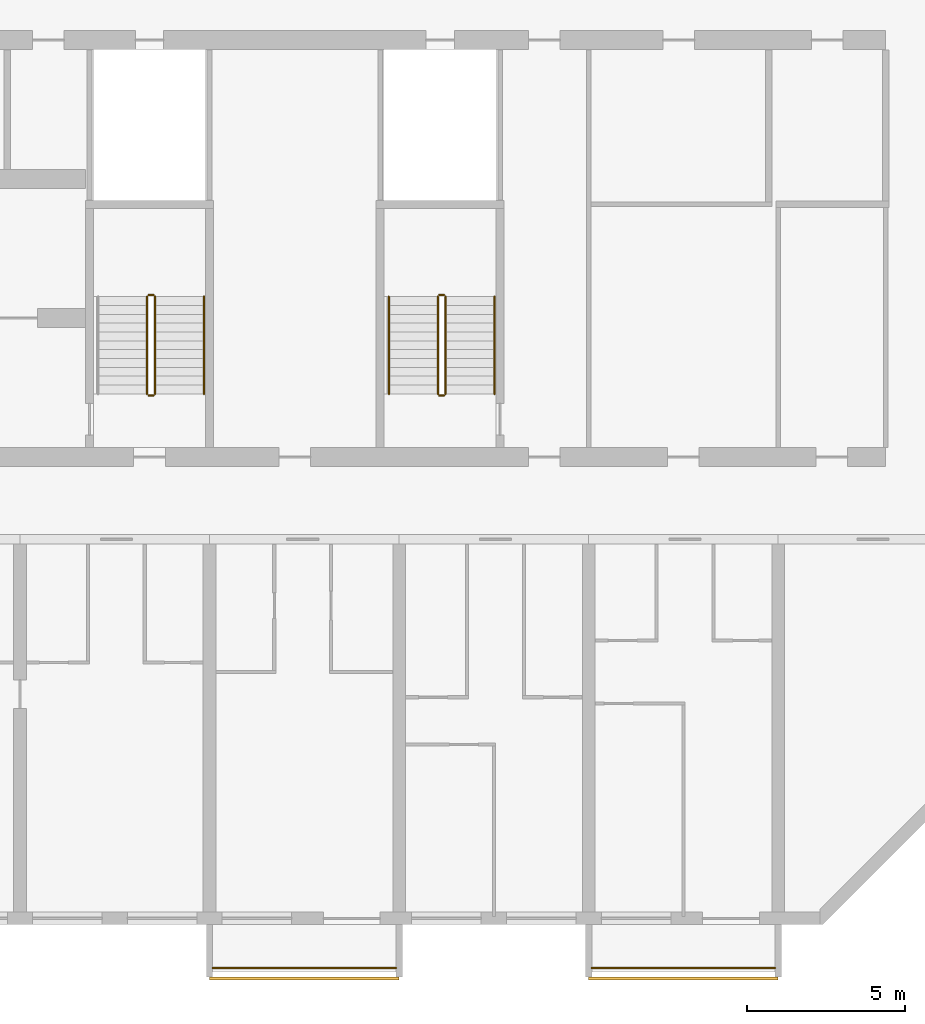
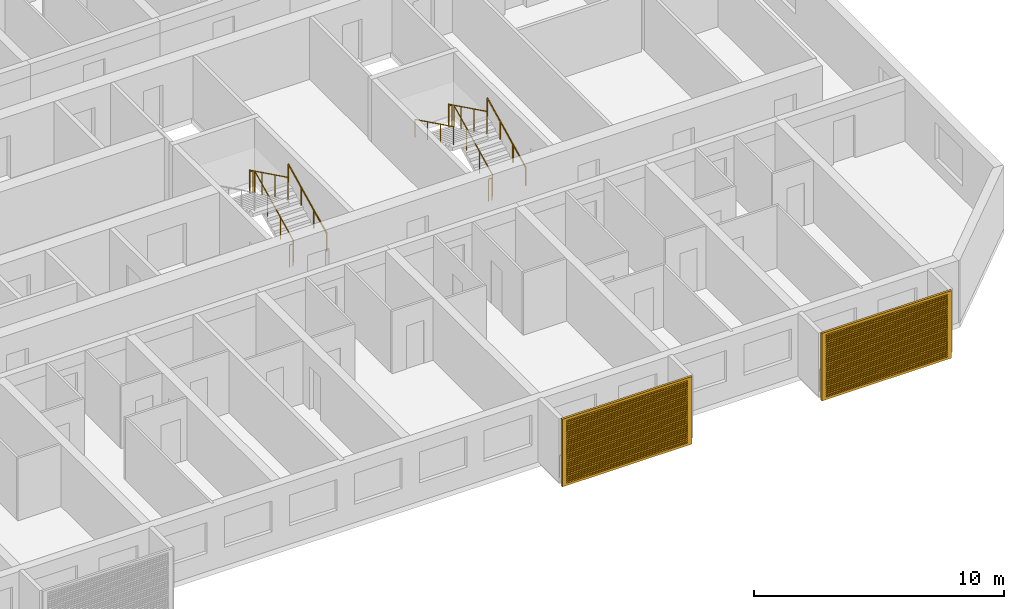
# One storey, part 35 of 39: 13 railings, 2 shading devices.
"""IFC4 building model written with IfcOpenShell, lengths in metres."""

from ifc_helpers import new_model, si_unit, direction, frame, origin, origin_2d, place, context, subcontext, project, spatial, polyline, circle, outline, extrude, source, transform, mapped, material, material_profile, profile_set, type_object, element, save


model = new_model("IFC4")

# Units and contexts
model_context = context("Model", 3, precision=1e-05, world=origin(), true_north=direction((0.0, 1.0)))
body_context = subcontext(model_context, "Body", "Model", "MODEL_VIEW")
ifc_project = project(units=[si_unit("LENGTHUNIT", "METRE"), si_unit("AREAUNIT", "SQUARE_METRE"), si_unit("VOLUMEUNIT", "CUBIC_METRE"), si_unit("PLANEANGLEUNIT", "RADIAN"), si_unit("MASSUNIT", "GRAM", prefix="KILO")], contexts=[model_context])

# Site, building, storey
site_placement = place(None, origin())
site = spatial("IfcSite", under=ifc_project, at=site_placement, CompositionType="ELEMENT")
building_placement = place(site_placement, origin())
building = spatial("IfcBuilding", under=site, at=building_placement, Name="Poui Terraces", CompositionType="ELEMENT")
storey_placement = place(building_placement, frame((0.0, 0.0, 56.39990234375)))
storey = spatial("IfcBuildingStorey", under=building, at=storey_placement, Name="L15", CompositionType="ELEMENT", Elevation=56.39990234375)

# Railings
ifc_material_1 = material(Name="Painted steel fretwork", Category="steel")
railing_type_1 = type_object("IfcRailingType", Name="BALCONY GUARD 1100", PredefinedType="GUARDRAIL", material=ifc_material_1)
for number, where, name in (
    (1, (72.10009765625, -1.570068359375, 0.0), "BALCONY GUARD"),
    (2, (84.10009765625, -1.570068359375, 0.0), "BALCONY GUARD"),
):
    element("IfcRailing", number, at=place(storey_placement, frame(where)), inside=storey, type_object=railing_type_1, Name=name, PredefinedType="GUARDRAIL", context=body_context, shape_type="SweptSolid", body=[
        extrude(circle(Radius=0.02392578125, at=origin_2d()), frame((0.0, 0.0, 1.076171875), z_axis=(1.0, 0.0, 0.0), x_axis=(0.0, 1.0, 0.0)), (0.0, 0.0, 1.0), 5.7998046875),
        extrude(circle(Radius=0.02099609375, at=origin_2d()), origin(), (0.0, 0.0, 1.0), 1.052001953125),
        extrude(circle(Radius=0.02099609375, at=origin_2d()), frame((0.966552734375, 0.0, 0.0)), (0.0, 0.0, 1.0), 1.052001953125),
        extrude(circle(Radius=0.02099609375, at=origin_2d()), frame((1.933349609375, 0.0, 0.0)), (0.0, 0.0, 1.0), 1.052001953125),
        extrude(circle(Radius=0.02099609375, at=origin_2d()), frame((2.89990234375, 0.0, 0.0)), (0.0, 0.0, 1.0), 1.052001953125),
        extrude(circle(Radius=0.02099609375, at=origin_2d()), frame((3.866455078125, 0.0, 0.0)), (0.0, 0.0, 1.0), 1.052001953125),
        extrude(circle(Radius=0.02099609375, at=origin_2d()), frame((4.833251953125, 0.0, 0.0)), (0.0, 0.0, 1.0), 1.052001953125),
        extrude(circle(Radius=0.02099609375, at=origin_2d()), frame((5.7998046875, 0.0, 0.0)), (0.0, 0.0, 1.0), 1.052001953125),
    ])
ifc_material_2 = material(Name="Galvanised steel balustrade", Category="steel")
railing_type_2 = type_object("IfcRailingType", Name="STAIR GUARD 1100", PredefinedType="GUARDRAIL", material=ifc_material_2)
railing_1_placement = place(storey_placement, frame((70.27490234375, 16.60009765625, 0.1376953125)))
element("IfcRailing", 3, at=railing_1_placement, inside=storey, type_object=railing_type_2, Name="L15 ST-CE stair guard 1", PredefinedType="GUARDRAIL", context=body_context, shape_type="SweptSolid", body=[
    extrude(circle(Radius=0.02392578125, at=origin_2d()), frame((0.0, 0.0, 1.076171875), z_axis=(0.0, 0.897606190399, 0.440798283751), x_axis=(-1.0, 0.0, 0.0)), (0.0, 0.0, 1.0), 3.43115234375),
    extrude(circle(Radius=0.02099609375, at=origin_2d()), origin(), (0.0, 0.0, 1.0), 1.052001953125),
    extrude(circle(Radius=0.02099609375, at=origin_2d()), frame((0.0, 1.026611328125, 0.504150390625)), (0.0, 0.0, 1.0), 1.052001953125),
    extrude(circle(Radius=0.02099609375, at=origin_2d()), frame((0.0, 2.05322265625, 1.00830078125)), (0.0, 0.0, 1.0), 1.052001953125),
    extrude(circle(Radius=0.02099609375, at=origin_2d()), frame((0.0, 3.079833984375, 1.512451171875)), (0.0, 0.0, 1.0), 1.052001953125),
])
railing_2_placement = place(storey_placement, frame((70.22509765625, 19.72998046875, 1.650146484375)))
element("IfcRailing", 4, at=railing_2_placement, inside=storey, type_object=railing_type_2, Name="L15 ST-CE stair guard 2", PredefinedType="GUARDRAIL", context=body_context, shape_type="SweptSolid", body=[
    extrude(circle(Radius=0.02392578125, at=origin_2d()), frame((0.0, 0.0, 1.076171875), z_axis=(-1.0, 0.0, 0.0), x_axis=(0.0, -1.0, 0.0)), (0.0, 0.0, 1.0), 0.150146484375),
    extrude(circle(Radius=0.02099609375, at=origin_2d()), origin(), (0.0, 0.0, 1.0), 1.052001953125),
    extrude(circle(Radius=0.02099609375, at=origin_2d()), frame((-0.150146484375, 0.0, 0.0)), (0.0, 0.0, 1.0), 1.052001953125),
])
railing_3_placement = place(storey_placement, frame((70.02490234375, 19.679931640625, 1.78759765625)))
element("IfcRailing", 5, at=railing_3_placement, inside=storey, type_object=railing_type_2, Name="L15 ST-CE stair guard 3", PredefinedType="GUARDRAIL", context=body_context, shape_type="SweptSolid", body=[
    extrude(circle(Radius=0.02392578125, at=origin_2d()), frame((0.0, 0.0, 1.076171875), z_axis=(0.0, -0.897606190399, 0.440798283751), x_axis=(1.0, 0.0, 0.0)), (0.0, 0.0, 1.0), 3.43115234375),
    extrude(circle(Radius=0.02099609375, at=origin_2d()), origin(), (0.0, 0.0, 1.0), 1.052001953125),
    extrude(circle(Radius=0.02099609375, at=origin_2d()), frame((0.0, -1.026611328125, 0.504150390625)), (0.0, 0.0, 1.0), 1.052001953125),
    extrude(circle(Radius=0.02099609375, at=origin_2d()), frame((0.0, -2.05322265625, 1.00830078125)), (0.0, 0.0, 1.0), 1.052001953125),
    extrude(circle(Radius=0.02099609375, at=origin_2d()), frame((0.0, -3.079833984375, 1.512451171875)), (0.0, 0.0, 1.0), 1.052001953125),
])
railing_4_placement = place(storey_placement, frame((70.22509765625, 16.550048828125, 0.0)))
element("IfcRailing", 6, at=railing_4_placement, inside=storey, type_object=railing_type_2, Name="L15 ST-CE stair guard 4", PredefinedType="GUARDRAIL", context=body_context, shape_type="SweptSolid", body=[
    extrude(circle(Radius=0.02392578125, at=origin_2d()), frame((0.0, 0.0, 1.076171875), z_axis=(-1.0, 0.0, 0.0), x_axis=(0.0, -1.0, 0.0)), (0.0, 0.0, 1.0), 0.150146484375),
    extrude(circle(Radius=0.02099609375, at=origin_2d()), origin(), (0.0, 0.0, 1.0), 1.052001953125),
    extrude(circle(Radius=0.02099609375, at=origin_2d()), frame((-0.150146484375, 0.0, 0.0)), (0.0, 0.0, 1.0), 1.052001953125),
])
railing_5_placement = place(storey_placement, frame((79.47509765625, 16.60009765625, 0.1376953125)))
element("IfcRailing", 7, at=railing_5_placement, inside=storey, type_object=railing_type_2, Name="L15 ST-E stair guard 1", PredefinedType="GUARDRAIL", context=body_context, shape_type="SweptSolid", body=[
    extrude(circle(Radius=0.02392578125, at=origin_2d()), frame((0.0, 0.0, 1.076171875), z_axis=(0.0, 0.897606190399, 0.440798283751), x_axis=(-1.0, 0.0, 0.0)), (0.0, 0.0, 1.0), 3.43115234375),
    extrude(circle(Radius=0.02099609375, at=origin_2d()), origin(), (0.0, 0.0, 1.0), 1.052001953125),
    extrude(circle(Radius=0.02099609375, at=origin_2d()), frame((0.0, 1.026611328125, 0.504150390625)), (0.0, 0.0, 1.0), 1.052001953125),
    extrude(circle(Radius=0.02099609375, at=origin_2d()), frame((0.0, 2.05322265625, 1.00830078125)), (0.0, 0.0, 1.0), 1.052001953125),
    extrude(circle(Radius=0.02099609375, at=origin_2d()), frame((0.0, 3.079833984375, 1.512451171875)), (0.0, 0.0, 1.0), 1.052001953125),
])
railing_6_placement = place(storey_placement, frame((79.425048828125, 19.72998046875, 1.650146484375)))
element("IfcRailing", 8, at=railing_6_placement, inside=storey, type_object=railing_type_2, Name="L15 ST-E stair guard 2", PredefinedType="GUARDRAIL", context=body_context, shape_type="SweptSolid", body=[
    extrude(circle(Radius=0.02392578125, at=origin_2d()), frame((0.0, 0.0, 1.076171875), z_axis=(-1.0, 0.0, 0.0), x_axis=(0.0, -1.0, 0.0)), (0.0, 0.0, 1.0), 0.150146484375),
    extrude(circle(Radius=0.02099609375, at=origin_2d()), origin(), (0.0, 0.0, 1.0), 1.052001953125),
    extrude(circle(Radius=0.02099609375, at=origin_2d()), frame((-0.150146484375, 0.0, 0.0)), (0.0, 0.0, 1.0), 1.052001953125),
])
railing_7_placement = place(storey_placement, frame((79.22509765625, 19.679931640625, 1.78759765625)))
element("IfcRailing", 9, at=railing_7_placement, inside=storey, type_object=railing_type_2, Name="L15 ST-E stair guard 3", PredefinedType="GUARDRAIL", context=body_context, shape_type="SweptSolid", body=[
    extrude(circle(Radius=0.02392578125, at=origin_2d()), frame((0.0, 0.0, 1.076171875), z_axis=(0.0, -0.897606190399, 0.440798283751), x_axis=(1.0, 0.0, 0.0)), (0.0, 0.0, 1.0), 3.43115234375),
    extrude(circle(Radius=0.02099609375, at=origin_2d()), origin(), (0.0, 0.0, 1.0), 1.052001953125),
    extrude(circle(Radius=0.02099609375, at=origin_2d()), frame((0.0, -1.026611328125, 0.504150390625)), (0.0, 0.0, 1.0), 1.052001953125),
    extrude(circle(Radius=0.02099609375, at=origin_2d()), frame((0.0, -2.05322265625, 1.00830078125)), (0.0, 0.0, 1.0), 1.052001953125),
    extrude(circle(Radius=0.02099609375, at=origin_2d()), frame((0.0, -3.079833984375, 1.512451171875)), (0.0, 0.0, 1.0), 1.052001953125),
])
railing_8_placement = place(storey_placement, frame((79.425048828125, 16.550048828125, 0.0)))
element("IfcRailing", 10, at=railing_8_placement, inside=storey, type_object=railing_type_2, Name="L15 ST-E stair guard 4", PredefinedType="GUARDRAIL", context=body_context, shape_type="SweptSolid", body=[
    extrude(circle(Radius=0.02392578125, at=origin_2d()), frame((0.0, 0.0, 1.076171875), z_axis=(-1.0, 0.0, 0.0), x_axis=(0.0, -1.0, 0.0)), (0.0, 0.0, 1.0), 0.150146484375),
    extrude(circle(Radius=0.02099609375, at=origin_2d()), origin(), (0.0, 0.0, 1.0), 1.052001953125),
    extrude(circle(Radius=0.02099609375, at=origin_2d()), frame((-0.150146484375, 0.0, 0.0)), (0.0, 0.0, 1.0), 1.052001953125),
])
ifc_material_3 = material(Name="Stainless steel handrail", Category="steel")
railing_type_3 = type_object("IfcRailingType", Name="STAIR HANDRAIL 900", PredefinedType="HANDRAIL", material=ifc_material_3)
for number, where, name in (
    (11, (71.824951171875, 16.60009765625, 0.1376953125), "L15 ST-CE stair handrail 1"),
    (12, (81.02490234375, 16.60009765625, 0.1376953125), "L15 ST-E stair handrail 1"),
):
    element("IfcRailing", number, at=place(storey_placement, frame(where)), inside=storey, type_object=railing_type_3, Name=name, PredefinedType="HANDRAIL", context=body_context, shape_type="SweptSolid", body=[
        extrude(circle(Radius=0.02392578125, at=origin_2d()), frame((0.0, 0.0, 0.8759765625), z_axis=(0.0, 0.897606190399, 0.440798283751), x_axis=(-1.0, 0.0, 0.0)), (0.0, 0.0, 1.0), 3.43115234375),
        extrude(circle(Radius=0.02099609375, at=origin_2d()), origin(), (0.0, 0.0, 1.0), 0.851806640625),
        extrude(circle(Radius=0.02099609375, at=origin_2d()), frame((0.0, 1.026611328125, 0.504150390625)), (0.0, 0.0, 1.0), 0.851806640625),
        extrude(circle(Radius=0.02099609375, at=origin_2d()), frame((0.0, 2.05322265625, 1.00830078125)), (0.0, 0.0, 1.0), 0.851806640625),
        extrude(circle(Radius=0.02099609375, at=origin_2d()), frame((0.0, 3.079833984375, 1.512451171875)), (0.0, 0.0, 1.0), 0.851806640625),
    ])
railing_9_placement = place(storey_placement, frame((77.675048828125, 19.679931640625, 1.78759765625)))
element("IfcRailing", 13, at=railing_9_placement, inside=storey, type_object=railing_type_3, Name="L15 ST-E stair handrail 2", PredefinedType="HANDRAIL", context=body_context, shape_type="SweptSolid", body=[
    extrude(circle(Radius=0.02392578125, at=origin_2d()), frame((0.0, 0.0, 0.8759765625), z_axis=(0.0, -0.897606190399, 0.440798283751), x_axis=(1.0, 0.0, 0.0)), (0.0, 0.0, 1.0), 3.43115234375),
    extrude(circle(Radius=0.02099609375, at=origin_2d()), origin(), (0.0, 0.0, 1.0), 0.851806640625),
    extrude(circle(Radius=0.02099609375, at=origin_2d()), frame((0.0, -1.026611328125, 0.504150390625)), (0.0, 0.0, 1.0), 0.851806640625),
    extrude(circle(Radius=0.02099609375, at=origin_2d()), frame((0.0, -2.05322265625, 1.00830078125)), (0.0, 0.0, 1.0), 0.851806640625),
    extrude(circle(Radius=0.02099609375, at=origin_2d()), frame((0.0, -3.079833984375, 1.512451171875)), (0.0, 0.0, 1.0), 0.851806640625),
])

# Shading devices
ifc_material_4 = material(Name="Aluminium louvre", Category="aluminium")
ifc_material_profile = material_profile(ifc_material_4, outline(polyline([(-3.0, -1.64990234375), (3.0, -1.64990234375), (3.0, 1.64990234375), (-3.0, 1.64990234375), (-3.0, -1.64990234375)]), holes=[polyline([(-2.800048828125, -1.530029296875), (2.800048828125, -1.530029296875), (2.800048828125, -1.469970703125), (-2.800048828125, -1.469970703125), (-2.800048828125, -1.530029296875)]), polyline([(-2.800048828125, -1.429931640625), (2.800048828125, -1.429931640625), (2.800048828125, -1.3701171875), (-2.800048828125, -1.3701171875), (-2.800048828125, -1.429931640625)]), polyline([(-2.800048828125, -1.330078125), (2.800048828125, -1.330078125), (2.800048828125, -1.27001953125), (-2.800048828125, -1.27001953125), (-2.800048828125, -1.330078125)]), polyline([(-2.800048828125, -1.22998046875), (2.800048828125, -1.22998046875), (2.800048828125, -1.169921875), (-2.800048828125, -1.169921875), (-2.800048828125, -1.22998046875)]), polyline([(-2.800048828125, -1.1298828125), (2.800048828125, -1.1298828125), (2.800048828125, -1.070068359375), (-2.800048828125, -1.070068359375), (-2.800048828125, -1.1298828125)]), polyline([(-2.800048828125, -1.030029296875), (2.800048828125, -1.030029296875), (2.800048828125, -0.969970703125), (-2.800048828125, -0.969970703125), (-2.800048828125, -1.030029296875)]), polyline([(-2.800048828125, -0.929931640625), (2.800048828125, -0.929931640625), (2.800048828125, -0.8701171875), (-2.800048828125, -0.8701171875), (-2.800048828125, -0.929931640625)]), polyline([(-2.800048828125, -0.830078125), (2.800048828125, -0.830078125), (2.800048828125, -0.77001953125), (-2.800048828125, -0.77001953125), (-2.800048828125, -0.830078125)]), polyline([(-2.800048828125, -0.72998046875), (2.800048828125, -0.72998046875), (2.800048828125, -0.669921875), (-2.800048828125, -0.669921875), (-2.800048828125, -0.72998046875)]), polyline([(-2.800048828125, -0.6298828125), (2.800048828125, -0.6298828125), (2.800048828125, -0.570068359375), (-2.800048828125, -0.570068359375), (-2.800048828125, -0.6298828125)]), polyline([(-2.800048828125, -0.530029296875), (2.800048828125, -0.530029296875), (2.800048828125, -0.469970703125), (-2.800048828125, -0.469970703125), (-2.800048828125, -0.530029296875)]), polyline([(-2.800048828125, -0.429931640625), (2.800048828125, -0.429931640625), (2.800048828125, -0.3701171875), (-2.800048828125, -0.3701171875), (-2.800048828125, -0.429931640625)]), polyline([(-2.800048828125, -0.330078125), (2.800048828125, -0.330078125), (2.800048828125, -0.27001953125), (-2.800048828125, -0.27001953125), (-2.800048828125, -0.330078125)]), polyline([(-2.800048828125, -0.22998046875), (2.800048828125, -0.22998046875), (2.800048828125, -0.169921875), (-2.800048828125, -0.169921875), (-2.800048828125, -0.22998046875)]), polyline([(-2.800048828125, -0.1298828125), (2.800048828125, -0.1298828125), (2.800048828125, -0.070068359375), (-2.800048828125, -0.070068359375), (-2.800048828125, -0.1298828125)]), polyline([(-2.800048828125, -0.030029296875), (2.800048828125, -0.030029296875), (2.800048828125, 0.030029296875), (-2.800048828125, 0.030029296875), (-2.800048828125, -0.030029296875)]), polyline([(-2.800048828125, 0.070068359375), (2.800048828125, 0.070068359375), (2.800048828125, 0.1298828125), (-2.800048828125, 0.1298828125), (-2.800048828125, 0.070068359375)]), polyline([(-2.800048828125, 0.169921875), (2.800048828125, 0.169921875), (2.800048828125, 0.22998046875), (-2.800048828125, 0.22998046875), (-2.800048828125, 0.169921875)]), polyline([(-2.800048828125, 0.27001953125), (2.800048828125, 0.27001953125), (2.800048828125, 0.330078125), (-2.800048828125, 0.330078125), (-2.800048828125, 0.27001953125)]), polyline([(-2.800048828125, 0.3701171875), (2.800048828125, 0.3701171875), (2.800048828125, 0.429931640625), (-2.800048828125, 0.429931640625), (-2.800048828125, 0.3701171875)]), polyline([(-2.800048828125, 0.469970703125), (2.800048828125, 0.469970703125), (2.800048828125, 0.530029296875), (-2.800048828125, 0.530029296875), (-2.800048828125, 0.469970703125)]), polyline([(-2.800048828125, 0.570068359375), (2.800048828125, 0.570068359375), (2.800048828125, 0.6298828125), (-2.800048828125, 0.6298828125), (-2.800048828125, 0.570068359375)]), polyline([(-2.800048828125, 0.669921875), (2.800048828125, 0.669921875), (2.800048828125, 0.72998046875), (-2.800048828125, 0.72998046875), (-2.800048828125, 0.669921875)]), polyline([(-2.800048828125, 0.77001953125), (2.800048828125, 0.77001953125), (2.800048828125, 0.830078125), (-2.800048828125, 0.830078125), (-2.800048828125, 0.77001953125)]), polyline([(-2.800048828125, 0.8701171875), (2.800048828125, 0.8701171875), (2.800048828125, 0.929931640625), (-2.800048828125, 0.929931640625), (-2.800048828125, 0.8701171875)]), polyline([(-2.800048828125, 0.969970703125), (2.800048828125, 0.969970703125), (2.800048828125, 1.030029296875), (-2.800048828125, 1.030029296875), (-2.800048828125, 0.969970703125)]), polyline([(-2.800048828125, 1.070068359375), (2.800048828125, 1.070068359375), (2.800048828125, 1.1298828125), (-2.800048828125, 1.1298828125), (-2.800048828125, 1.070068359375)]), polyline([(-2.800048828125, 1.169921875), (2.800048828125, 1.169921875), (2.800048828125, 1.22998046875), (-2.800048828125, 1.22998046875), (-2.800048828125, 1.169921875)]), polyline([(-2.800048828125, 1.27001953125), (2.800048828125, 1.27001953125), (2.800048828125, 1.330078125), (-2.800048828125, 1.330078125), (-2.800048828125, 1.27001953125)]), polyline([(-2.800048828125, 1.3701171875), (2.800048828125, 1.3701171875), (2.800048828125, 1.429931640625), (-2.800048828125, 1.429931640625), (-2.800048828125, 1.3701171875)]), polyline([(-2.800048828125, 1.469970703125), (2.800048828125, 1.469970703125), (2.800048828125, 1.530029296875), (-2.800048828125, 1.530029296875), (-2.800048828125, 1.469970703125)])]), Name="JALOUSIE LOUVRE SHUTTER 6000X3300")
ifc_profile_set = profile_set([ifc_material_profile], Name="Aluminium louvre")
shading_device_type = type_object("IfcShadingDeviceType", Name="JALOUSIE LOUVRE SHUTTER 6000X3300", PredefinedType="JALOUSIE", material=ifc_profile_set)
shared_shape = source(origin(), body_context, "Body", "SweptSolid", [
    extrude(outline(polyline([(-3.0, -1.64990234375), (3.0, -1.64990234375), (3.0, 1.64990234375), (-3.0, 1.64990234375), (-3.0, -1.64990234375)]), holes=[polyline([(-2.800048828125, -1.530029296875), (2.800048828125, -1.530029296875), (2.800048828125, -1.469970703125), (-2.800048828125, -1.469970703125), (-2.800048828125, -1.530029296875)]), polyline([(-2.800048828125, -1.429931640625), (2.800048828125, -1.429931640625), (2.800048828125, -1.3701171875), (-2.800048828125, -1.3701171875), (-2.800048828125, -1.429931640625)]), polyline([(-2.800048828125, -1.330078125), (2.800048828125, -1.330078125), (2.800048828125, -1.27001953125), (-2.800048828125, -1.27001953125), (-2.800048828125, -1.330078125)]), polyline([(-2.800048828125, -1.22998046875), (2.800048828125, -1.22998046875), (2.800048828125, -1.169921875), (-2.800048828125, -1.169921875), (-2.800048828125, -1.22998046875)]), polyline([(-2.800048828125, -1.1298828125), (2.800048828125, -1.1298828125), (2.800048828125, -1.070068359375), (-2.800048828125, -1.070068359375), (-2.800048828125, -1.1298828125)]), polyline([(-2.800048828125, -1.030029296875), (2.800048828125, -1.030029296875), (2.800048828125, -0.969970703125), (-2.800048828125, -0.969970703125), (-2.800048828125, -1.030029296875)]), polyline([(-2.800048828125, -0.929931640625), (2.800048828125, -0.929931640625), (2.800048828125, -0.8701171875), (-2.800048828125, -0.8701171875), (-2.800048828125, -0.929931640625)]), polyline([(-2.800048828125, -0.830078125), (2.800048828125, -0.830078125), (2.800048828125, -0.77001953125), (-2.800048828125, -0.77001953125), (-2.800048828125, -0.830078125)]), polyline([(-2.800048828125, -0.72998046875), (2.800048828125, -0.72998046875), (2.800048828125, -0.669921875), (-2.800048828125, -0.669921875), (-2.800048828125, -0.72998046875)]), polyline([(-2.800048828125, -0.6298828125), (2.800048828125, -0.6298828125), (2.800048828125, -0.570068359375), (-2.800048828125, -0.570068359375), (-2.800048828125, -0.6298828125)]), polyline([(-2.800048828125, -0.530029296875), (2.800048828125, -0.530029296875), (2.800048828125, -0.469970703125), (-2.800048828125, -0.469970703125), (-2.800048828125, -0.530029296875)]), polyline([(-2.800048828125, -0.429931640625), (2.800048828125, -0.429931640625), (2.800048828125, -0.3701171875), (-2.800048828125, -0.3701171875), (-2.800048828125, -0.429931640625)]), polyline([(-2.800048828125, -0.330078125), (2.800048828125, -0.330078125), (2.800048828125, -0.27001953125), (-2.800048828125, -0.27001953125), (-2.800048828125, -0.330078125)]), polyline([(-2.800048828125, -0.22998046875), (2.800048828125, -0.22998046875), (2.800048828125, -0.169921875), (-2.800048828125, -0.169921875), (-2.800048828125, -0.22998046875)]), polyline([(-2.800048828125, -0.1298828125), (2.800048828125, -0.1298828125), (2.800048828125, -0.070068359375), (-2.800048828125, -0.070068359375), (-2.800048828125, -0.1298828125)]), polyline([(-2.800048828125, -0.030029296875), (2.800048828125, -0.030029296875), (2.800048828125, 0.030029296875), (-2.800048828125, 0.030029296875), (-2.800048828125, -0.030029296875)]), polyline([(-2.800048828125, 0.070068359375), (2.800048828125, 0.070068359375), (2.800048828125, 0.1298828125), (-2.800048828125, 0.1298828125), (-2.800048828125, 0.070068359375)]), polyline([(-2.800048828125, 0.169921875), (2.800048828125, 0.169921875), (2.800048828125, 0.22998046875), (-2.800048828125, 0.22998046875), (-2.800048828125, 0.169921875)]), polyline([(-2.800048828125, 0.27001953125), (2.800048828125, 0.27001953125), (2.800048828125, 0.330078125), (-2.800048828125, 0.330078125), (-2.800048828125, 0.27001953125)]), polyline([(-2.800048828125, 0.3701171875), (2.800048828125, 0.3701171875), (2.800048828125, 0.429931640625), (-2.800048828125, 0.429931640625), (-2.800048828125, 0.3701171875)]), polyline([(-2.800048828125, 0.469970703125), (2.800048828125, 0.469970703125), (2.800048828125, 0.530029296875), (-2.800048828125, 0.530029296875), (-2.800048828125, 0.469970703125)]), polyline([(-2.800048828125, 0.570068359375), (2.800048828125, 0.570068359375), (2.800048828125, 0.6298828125), (-2.800048828125, 0.6298828125), (-2.800048828125, 0.570068359375)]), polyline([(-2.800048828125, 0.669921875), (2.800048828125, 0.669921875), (2.800048828125, 0.72998046875), (-2.800048828125, 0.72998046875), (-2.800048828125, 0.669921875)]), polyline([(-2.800048828125, 0.77001953125), (2.800048828125, 0.77001953125), (2.800048828125, 0.830078125), (-2.800048828125, 0.830078125), (-2.800048828125, 0.77001953125)]), polyline([(-2.800048828125, 0.8701171875), (2.800048828125, 0.8701171875), (2.800048828125, 0.929931640625), (-2.800048828125, 0.929931640625), (-2.800048828125, 0.8701171875)]), polyline([(-2.800048828125, 0.969970703125), (2.800048828125, 0.969970703125), (2.800048828125, 1.030029296875), (-2.800048828125, 1.030029296875), (-2.800048828125, 0.969970703125)]), polyline([(-2.800048828125, 1.070068359375), (2.800048828125, 1.070068359375), (2.800048828125, 1.1298828125), (-2.800048828125, 1.1298828125), (-2.800048828125, 1.070068359375)]), polyline([(-2.800048828125, 1.169921875), (2.800048828125, 1.169921875), (2.800048828125, 1.22998046875), (-2.800048828125, 1.22998046875), (-2.800048828125, 1.169921875)]), polyline([(-2.800048828125, 1.27001953125), (2.800048828125, 1.27001953125), (2.800048828125, 1.330078125), (-2.800048828125, 1.330078125), (-2.800048828125, 1.27001953125)]), polyline([(-2.800048828125, 1.3701171875), (2.800048828125, 1.3701171875), (2.800048828125, 1.429931640625), (-2.800048828125, 1.429931640625), (-2.800048828125, 1.3701171875)]), polyline([(-2.800048828125, 1.469970703125), (2.800048828125, 1.469970703125), (2.800048828125, 1.530029296875), (-2.800048828125, 1.530029296875), (-2.800048828125, 1.469970703125)])]), origin(), (0.0, 0.0, 1.0), 0.099853515625),
])
for number, where, z_axis, x_axis, name in (
    (14, (75.0, -1.85009765625, 1.4501953125), (0.0, -1.0, 0.0), (1.0, 0.0, 0.0), "JALOUSIE LOUVRE SHUTTER"),
    (15, (87.0, -1.85009765625, 1.4501953125), (0.0, -1.0, 0.0), (1.0, 0.0, 0.0), "JALOUSIE LOUVRE SHUTTER"),
):
    element("IfcShadingDevice", number, at=place(storey_placement, frame(where, z_axis=z_axis, x_axis=x_axis)), inside=storey, type_object=shading_device_type, Name=name, PredefinedType="JALOUSIE", context=body_context, shape_type="MappedRepresentation", body=[
        mapped(shared_shape, transform((0.0, 0.0, 0.0))),
    ])

save(model, "model.ifc")
